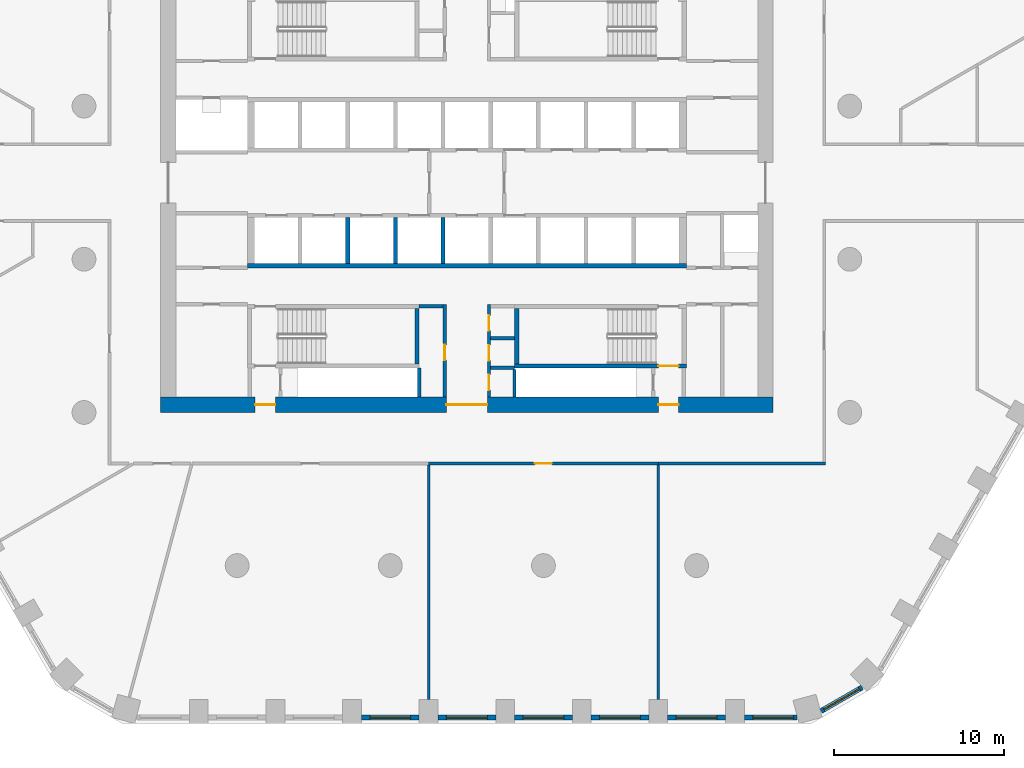
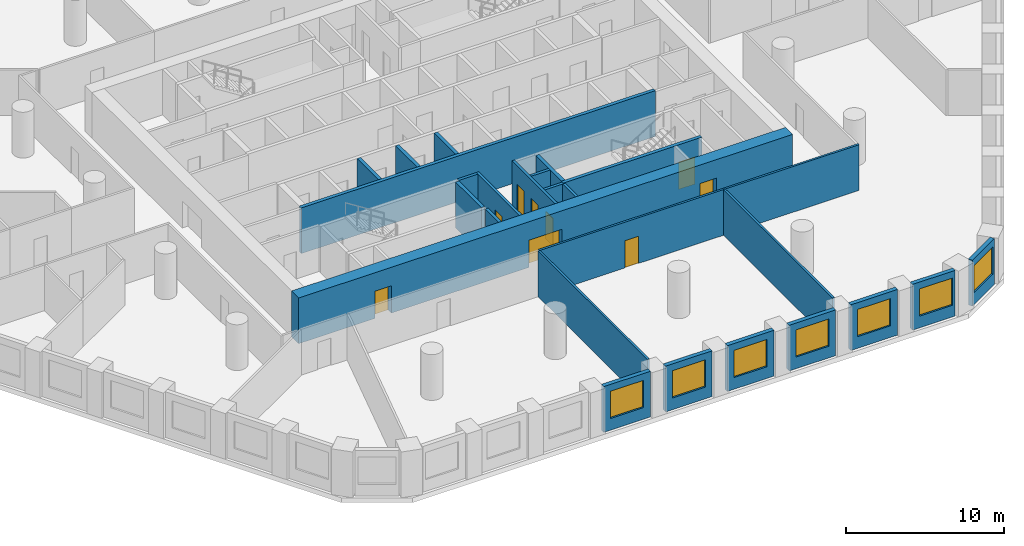
# One storey, part 3 of 10: 26 walls, 9 doors, 7 windows, 16 openings.
"""IFC4 building model written with IfcOpenShell, lengths in metres."""

from ifc_helpers import new_model, si_unit, direction, frame, frame_2d, origin, place, context, subcontext, project, spatial, polyline, rectangle, outline, extrude, material, layer, layer_set, type_object, element, fill, save


model = new_model("IFC4")

# Units and contexts
model_context = context("Model", 3, precision=1e-05, world=origin(), true_north=direction((0.0, 1.0)))
body_context = subcontext(model_context, "Body", "Model", "MODEL_VIEW")
ifc_project = project(units=[si_unit("LENGTHUNIT", "METRE"), si_unit("AREAUNIT", "SQUARE_METRE"), si_unit("VOLUMEUNIT", "CUBIC_METRE"), si_unit("PLANEANGLEUNIT", "RADIAN"), si_unit("MASSUNIT", "GRAM", prefix="KILO")], contexts=[model_context])

# Site, building, storey
site_placement = place(None, origin())
site = spatial("IfcSite", under=ifc_project, at=site_placement, CompositionType="ELEMENT")
building_placement = place(site_placement, origin())
building = spatial("IfcBuilding", under=site, at=building_placement, Name="Dhurran Vertical Campus", CompositionType="ELEMENT")
storey_placement = place(building_placement, frame((0.0, 0.0, 37.800048828125)))
storey = spatial("IfcBuildingStorey", under=building, at=storey_placement, Name="L08", CompositionType="ELEMENT", Elevation=37.800048828125)

# Wall, opening, window
ifc_material_1 = material(Name="Precast concrete C50/60", Category="concrete")
ifc_layer_1 = layer(ifc_material_1, 0.300048828125)
ifc_layer_set_1 = layer_set([ifc_layer_1], Name="Precast concrete C50/60")
wall_type_1 = type_object("IfcWallType", Name="Precast spandrel wall 300", PredefinedType="SOLIDWALL", material=ifc_layer_set_1)
wall_1_placement = place(storey_placement, frame((-6.199462890625, -31.4296875, 0.0), z_axis=(0.0, 0.0, 1.0), x_axis=(1.0, 0.0, 0.0)))
wall_1 = element("IfcWall", 1, at=wall_1_placement, inside=storey, type_object=wall_type_1, Name="EW1 L08.03", PredefinedType="SOLIDWALL", context=body_context, shape_type="SweptSolid", body=[
    extrude(rectangle(XDim=3.39892578125, YDim=0.300048828125, at=frame_2d((1.699462890625, 0.0))), origin(), (0.0, 0.0, 1.0), 3.52490234375),
])
opening_1_placement = place(wall_1_placement, frame((0.49951171875, 0.0, 0.89990234375)))
opening_1 = element("IfcOpeningElement", 2, at=opening_1_placement, cuts=wall_1, Name="Opening WT1", PredefinedType="OPENING", context=body_context, shape_type="SweptSolid", body=[
    extrude(rectangle(XDim=2.39990234375, YDim=2.10009765625, at=frame_2d((1.199951171875, 1.050048828125))), frame((0.0, 0.159912109375, 0.0), z_axis=(0.0, -1.0, 0.0), x_axis=(1.0, 0.0, 0.0)), (0.0, 0.0, 1.0), 0.320068359375),
])
ifc_material_2 = material(Name="Aluminium frame with solar-control glass", Category="aluminium")
window_type = type_object("IfcWindowType", Name="Punched window 2400 x 2100", PartitioningType="SINGLE_PANEL", PredefinedType="WINDOW", material=ifc_material_2)
window_1_placement = place(opening_1_placement, origin())
window_1 = element("IfcWindow", 3, at=window_1_placement, inside=storey, type_object=window_type, Name="WT1 L08.03", OverallHeight=2.10009765625, OverallWidth=2.39990234375, PartitioningType="SINGLE_PANEL", PredefinedType="WINDOW", context=body_context, shape_type="SweptSolid", body=[
    extrude(rectangle(XDim=2.39990234375, YDim=2.10009765625, at=frame_2d((1.199951171875, 1.050048828125))), frame((0.0, 0.030029296875, 0.0), z_axis=(0.0, -1.0, 0.0), x_axis=(1.0, 0.0, 0.0)), (0.0, 0.0, 1.0), 0.06005859375),
])
fill(opening_1, window_1)

wall_2_placement = place(storey_placement, frame((-1.699462890625, -31.4296875, 0.0), z_axis=(0.0, 0.0, 1.0), x_axis=(1.0, 0.0, 0.0)))
wall_2 = element("IfcWall", 4, at=wall_2_placement, inside=storey, type_object=wall_type_1, Name="EW1 L08.04", PredefinedType="SOLIDWALL", context=body_context, shape_type="SweptSolid", body=[
    extrude(rectangle(XDim=3.39892578125, YDim=0.300048828125, at=frame_2d((1.699462890625, 0.0))), origin(), (0.0, 0.0, 1.0), 3.52490234375),
])
opening_2_placement = place(wall_2_placement, frame((0.49951171875, 0.0, 0.89990234375)))
opening_2 = element("IfcOpeningElement", 5, at=opening_2_placement, cuts=wall_2, Name="Opening WT1", PredefinedType="OPENING", context=body_context, shape_type="SweptSolid", body=[
    extrude(rectangle(XDim=2.39990234375, YDim=2.10009765625, at=frame_2d((1.199951171875, 1.050048828125))), frame((0.0, 0.159912109375, 0.0), z_axis=(0.0, -1.0, 0.0), x_axis=(1.0, 0.0, 0.0)), (0.0, 0.0, 1.0), 0.320068359375),
])
window_2_placement = place(opening_2_placement, origin())
window_2 = element("IfcWindow", 6, at=window_2_placement, inside=storey, type_object=window_type, Name="WT1 L08.04", OverallHeight=2.10009765625, OverallWidth=2.39990234375, PartitioningType="SINGLE_PANEL", PredefinedType="WINDOW", context=body_context, shape_type="SweptSolid", body=[
    extrude(rectangle(XDim=2.39990234375, YDim=2.10009765625, at=frame_2d((1.199951171875, 1.050048828125))), frame((0.0, 0.030029296875, 0.0), z_axis=(0.0, -1.0, 0.0), x_axis=(1.0, 0.0, 0.0)), (0.0, 0.0, 1.0), 0.06005859375),
])
fill(opening_2, window_2)

wall_3_placement = place(storey_placement, frame((2.800537109375, -31.4296875, 0.0), z_axis=(0.0, 0.0, 1.0), x_axis=(1.0, 0.0, 0.0)))
wall_3 = element("IfcWall", 7, at=wall_3_placement, inside=storey, type_object=wall_type_1, Name="EW1 L08.05", PredefinedType="SOLIDWALL", context=body_context, shape_type="SweptSolid", body=[
    extrude(rectangle(XDim=3.39892578125, YDim=0.300048828125, at=frame_2d((1.699462890625, 0.0))), origin(), (0.0, 0.0, 1.0), 3.52490234375),
])
opening_3_placement = place(wall_3_placement, frame((0.49951171875, 0.0, 0.89990234375)))
opening_3 = element("IfcOpeningElement", 8, at=opening_3_placement, cuts=wall_3, Name="Opening WT1", PredefinedType="OPENING", context=body_context, shape_type="SweptSolid", body=[
    extrude(rectangle(XDim=2.39990234375, YDim=2.10009765625, at=frame_2d((1.199951171875, 1.050048828125))), frame((0.0, 0.159912109375, 0.0), z_axis=(0.0, -1.0, 0.0), x_axis=(1.0, 0.0, 0.0)), (0.0, 0.0, 1.0), 0.320068359375),
])
window_3_placement = place(opening_3_placement, origin())
window_3 = element("IfcWindow", 9, at=window_3_placement, inside=storey, type_object=window_type, Name="WT1 L08.05", OverallHeight=2.10009765625, OverallWidth=2.39990234375, PartitioningType="SINGLE_PANEL", PredefinedType="WINDOW", context=body_context, shape_type="SweptSolid", body=[
    extrude(rectangle(XDim=2.39990234375, YDim=2.10009765625, at=frame_2d((1.199951171875, 1.050048828125))), frame((0.0, 0.030029296875, 0.0), z_axis=(0.0, -1.0, 0.0), x_axis=(1.0, 0.0, 0.0)), (0.0, 0.0, 1.0), 0.06005859375),
])
fill(opening_3, window_3)

wall_4_placement = place(storey_placement, frame((7.300537109375, -31.4296875, 0.0), z_axis=(0.0, 0.0, 1.0), x_axis=(1.0, 0.0, 0.0)))
wall_4 = element("IfcWall", 10, at=wall_4_placement, inside=storey, type_object=wall_type_1, Name="EW1 L08.06", PredefinedType="SOLIDWALL", context=body_context, shape_type="SweptSolid", body=[
    extrude(rectangle(XDim=3.39892578125, YDim=0.300048828125, at=frame_2d((1.699462890625, 0.0))), origin(), (0.0, 0.0, 1.0), 3.52490234375),
])
opening_4_placement = place(wall_4_placement, frame((0.49951171875, 0.0, 0.89990234375)))
opening_4 = element("IfcOpeningElement", 11, at=opening_4_placement, cuts=wall_4, Name="Opening WT1", PredefinedType="OPENING", context=body_context, shape_type="SweptSolid", body=[
    extrude(rectangle(XDim=2.39990234375, YDim=2.10009765625, at=frame_2d((1.199951171875, 1.050048828125))), frame((0.0, 0.159912109375, 0.0), z_axis=(0.0, -1.0, 0.0), x_axis=(1.0, 0.0, 0.0)), (0.0, 0.0, 1.0), 0.320068359375),
])
window_4_placement = place(opening_4_placement, origin())
window_4 = element("IfcWindow", 12, at=window_4_placement, inside=storey, type_object=window_type, Name="WT1 L08.06", OverallHeight=2.10009765625, OverallWidth=2.39990234375, PartitioningType="SINGLE_PANEL", PredefinedType="WINDOW", context=body_context, shape_type="SweptSolid", body=[
    extrude(rectangle(XDim=2.39990234375, YDim=2.10009765625, at=frame_2d((1.199951171875, 1.050048828125))), frame((0.0, 0.030029296875, 0.0), z_axis=(0.0, -1.0, 0.0), x_axis=(1.0, 0.0, 0.0)), (0.0, 0.0, 1.0), 0.06005859375),
])
fill(opening_4, window_4)

wall_5_placement = place(storey_placement, frame((11.800537109375, -31.4296875, 0.0), z_axis=(0.0, 0.0, 1.0), x_axis=(1.0, 0.0, 0.0)))
wall_5 = element("IfcWall", 13, at=wall_5_placement, inside=storey, type_object=wall_type_1, Name="EW1 L08.07", PredefinedType="SOLIDWALL", context=body_context, shape_type="SweptSolid", body=[
    extrude(rectangle(XDim=3.39892578125, YDim=0.300048828125, at=frame_2d((1.699462890625, 0.0))), origin(), (0.0, 0.0, 1.0), 3.52490234375),
])
opening_5_placement = place(wall_5_placement, frame((0.49951171875, 0.0, 0.89990234375)))
opening_5 = element("IfcOpeningElement", 14, at=opening_5_placement, cuts=wall_5, Name="Opening WT1", PredefinedType="OPENING", context=body_context, shape_type="SweptSolid", body=[
    extrude(rectangle(XDim=2.39990234375, YDim=2.10009765625, at=frame_2d((1.199951171875, 1.050048828125))), frame((0.0, 0.159912109375, 0.0), z_axis=(0.0, -1.0, 0.0), x_axis=(1.0, 0.0, 0.0)), (0.0, 0.0, 1.0), 0.320068359375),
])
window_5_placement = place(opening_5_placement, origin())
window_5 = element("IfcWindow", 15, at=window_5_placement, inside=storey, type_object=window_type, Name="WT1 L08.07", OverallHeight=2.10009765625, OverallWidth=2.39990234375, PartitioningType="SINGLE_PANEL", PredefinedType="WINDOW", context=body_context, shape_type="SweptSolid", body=[
    extrude(rectangle(XDim=2.39990234375, YDim=2.10009765625, at=frame_2d((1.199951171875, 1.050048828125))), frame((0.0, 0.030029296875, 0.0), z_axis=(0.0, -1.0, 0.0), x_axis=(1.0, 0.0, 0.0)), (0.0, 0.0, 1.0), 0.06005859375),
])
fill(opening_5, window_5)

wall_6_placement = place(storey_placement, frame((16.300537109375, -31.4296875, 0.0), z_axis=(0.0, 0.0, 1.0), x_axis=(1.0, 0.0, 0.0)))
wall_6 = element("IfcWall", 16, at=wall_6_placement, inside=storey, type_object=wall_type_1, Name="EW1 L08.08", PredefinedType="SOLIDWALL", context=body_context, shape_type="SweptSolid", body=[
    extrude(rectangle(XDim=3.090576171875, YDim=0.300048828125, at=frame_2d((1.54541015625, 0.0))), origin(), (0.0, 0.0, 1.0), 3.52490234375),
])
opening_6_placement = place(wall_6_placement, frame((0.49951171875, 0.0, 0.89990234375)))
opening_6 = element("IfcOpeningElement", 17, at=opening_6_placement, cuts=wall_6, Name="Opening WT1", PredefinedType="OPENING", context=body_context, shape_type="SweptSolid", body=[
    extrude(rectangle(XDim=2.39990234375, YDim=2.10009765625, at=frame_2d((1.199951171875, 1.050048828125))), frame((0.0, 0.159912109375, 0.0), z_axis=(0.0, -1.0, 0.0), x_axis=(1.0, 0.0, 0.0)), (0.0, 0.0, 1.0), 0.320068359375),
])
window_6_placement = place(opening_6_placement, origin())
window_6 = element("IfcWindow", 18, at=window_6_placement, inside=storey, type_object=window_type, Name="WT1 L08.08", OverallHeight=2.10009765625, OverallWidth=2.39990234375, PartitioningType="SINGLE_PANEL", PredefinedType="WINDOW", context=body_context, shape_type="SweptSolid", body=[
    extrude(rectangle(XDim=2.39990234375, YDim=2.10009765625, at=frame_2d((1.199951171875, 1.050048828125))), frame((0.0, 0.030029296875, 0.0), z_axis=(0.0, -1.0, 0.0), x_axis=(1.0, 0.0, 0.0)), (0.0, 0.0, 1.0), 0.06005859375),
])
fill(opening_6, window_6)

wall_7_placement = place(storey_placement, frame((20.81884765625, -31.047119140625, 0.0), z_axis=(0.0, 0.0, 1.0), x_axis=(0.866020456713, 0.500008568482, 0.0)))
wall_7 = element("IfcWall", 19, at=wall_7_placement, inside=storey, type_object=wall_type_1, Name="EW1 L08.09", PredefinedType="SOLIDWALL", context=body_context, shape_type="SweptSolid", body=[
    extrude(rectangle(XDim=2.7822265625, YDim=0.300048828125, at=frame_2d((1.39111328125, 0.0))), origin(), (0.0, 0.0, 1.0), 3.52490234375),
])
opening_7_placement = place(wall_7_placement, frame((0.191162109375, 0.0, 0.89990234375)))
opening_7 = element("IfcOpeningElement", 20, at=opening_7_placement, cuts=wall_7, Name="Opening WT1", PredefinedType="OPENING", context=body_context, shape_type="SweptSolid", body=[
    extrude(rectangle(XDim=2.39990234375, YDim=2.10009765625, at=frame_2d((1.199951171875, 1.050048828125))), frame((0.0, 0.159912109375, 0.0), z_axis=(0.0, -1.0, 0.0), x_axis=(1.0, 0.0, 0.0)), (0.0, 0.0, 1.0), 0.320068359375),
])
window_7_placement = place(opening_7_placement, origin())
window_7 = element("IfcWindow", 21, at=window_7_placement, inside=storey, type_object=window_type, Name="WT1 L08.09", OverallHeight=2.10009765625, OverallWidth=2.39990234375, PartitioningType="SINGLE_PANEL", PredefinedType="WINDOW", context=body_context, shape_type="SweptSolid", body=[
    extrude(rectangle(XDim=2.39990234375, YDim=2.10009765625, at=frame_2d((1.199951171875, 1.050048828125))), frame((0.0, 0.030029296875, 0.0), z_axis=(0.0, -1.0, 0.0), x_axis=(1.0, 0.0, 0.0)), (0.0, 0.0, 1.0), 0.06005859375),
])
fill(opening_7, window_7)

# Wall, openings, doors
ifc_material_3 = material(Name="Concrete C60/75", Category="concrete")
ifc_layer_2 = layer(ifc_material_3, 0.89990234375)
ifc_layer_set_2 = layer_set([ifc_layer_2], Name="Concrete C60/75")
wall_type_2 = type_object("IfcWallType", Name="co-CORE-WALL-C0-900", PredefinedType="SHEAR", material=ifc_layer_set_2)
wall_8_placement = place(storey_placement, frame((-18.0, -13.050048828125, 0.0), z_axis=(0.0, 0.0, 1.0), x_axis=(1.0, 0.0, 0.0)))
wall_8 = element("IfcWall", 22, at=wall_8_placement, inside=storey, type_object=wall_type_2, Name="Core wall S L08", PredefinedType="SHEAR", context=body_context, shape_type="SweptSolid", body=[
    extrude(rectangle(XDim=36.0, YDim=0.89990234375, at=frame_2d((18.0, 0.0))), origin(), (0.0, 0.0, 1.0), 3.52490234375),
])
opening_8_placement = place(wall_8_placement, frame((16.800048828125, 0.0, 0.0)))
opening_8 = element("IfcOpeningElement", 23, at=opening_8_placement, cuts=wall_8, Name="Opening CV2", PredefinedType="OPENING", context=body_context, shape_type="SweptSolid", body=[
    extrude(rectangle(XDim=2.39990234375, YDim=2.10009765625, at=frame_2d((1.199951171875, 1.050048828125))), frame((0.0, 0.4599609375, 0.0), z_axis=(0.0, -1.0, 0.0), x_axis=(1.0, 0.0, 0.0)), (0.0, 0.0, 1.0), 0.919921875),
])
opening_9_placement = place(wall_8_placement, frame((5.550048828125, 0.0, 0.0)))
opening_9 = element("IfcOpeningElement", 24, at=opening_9_placement, cuts=wall_8, Name="Opening XD3", PredefinedType="OPENING", context=body_context, shape_type="SweptSolid", body=[
    extrude(rectangle(XDim=1.199951171875, YDim=2.10009765625, at=frame_2d((0.60009765625, 1.050048828125))), frame((0.0, 0.4599609375, 0.0), z_axis=(0.0, -1.0, 0.0), x_axis=(1.0, 0.0, 0.0)), (0.0, 0.0, 1.0), 0.919921875),
])
opening_10_placement = place(wall_8_placement, frame((29.25, 0.0, 0.0)))
opening_10 = element("IfcOpeningElement", 25, at=opening_10_placement, cuts=wall_8, Name="Opening XD4", PredefinedType="OPENING", context=body_context, shape_type="SweptSolid", body=[
    extrude(rectangle(XDim=1.199951171875, YDim=2.10009765625, at=frame_2d((0.60009765625, 1.050048828125))), frame((0.0, 0.4599609375, 0.0), z_axis=(0.0, -1.0, 0.0), x_axis=(1.0, 0.0, 0.0)), (0.0, 0.0, 1.0), 0.919921875),
])
ifc_material_4 = material(Name="Fire-rated glazed door set")
door_type_1 = type_object("IfcDoorType", Name="co-D-LOBBY 2400x2100", OperationType="DOUBLE_DOOR_DOUBLE_SWING", PredefinedType="DOOR", material=ifc_material_4)
door_1_placement = place(opening_8_placement, origin())
door_1 = element("IfcDoor", 26, at=door_1_placement, inside=storey, type_object=door_type_1, Name="Core vestibule door S L08", OperationType="DOUBLE_DOOR_DOUBLE_SWING", OverallHeight=2.10009765625, OverallWidth=2.39990234375, PredefinedType="DOOR", context=body_context, shape_type="SweptSolid", body=[
    extrude(rectangle(XDim=2.39990234375, YDim=2.10009765625, at=frame_2d((1.199951171875, 1.050048828125))), frame((0.0, 0.02490234375, 0.0), z_axis=(0.0, -1.0, 0.0), x_axis=(1.0, 0.0, 0.0)), (0.0, 0.0, 1.0), 0.050048828125),
])
fill(opening_8, door_1)
ifc_material_5 = material(Name="Fire-rated steel door set", Category="steel")
door_type_2 = type_object("IfcDoorType", Name="co-D-STAIR-EXIT 1200x2100", OperationType="SINGLE_SWING_RIGHT", PredefinedType="DOOR", material=ifc_material_5)
door_2_placement = place(opening_9_placement, origin())
door_2 = element("IfcDoor", 27, at=door_2_placement, inside=storey, type_object=door_type_2, Name="Stair ST3 exit door L08", OperationType="SINGLE_SWING_RIGHT", OverallHeight=2.10009765625, OverallWidth=1.199951171875, PredefinedType="DOOR", context=body_context, shape_type="SweptSolid", body=[
    extrude(rectangle(XDim=1.199951171875, YDim=2.10009765625, at=frame_2d((0.60009765625, 1.050048828125))), frame((0.0, 0.02490234375, 0.0), z_axis=(0.0, -1.0, 0.0), x_axis=(1.0, 0.0, 0.0)), (0.0, 0.0, 1.0), 0.050048828125),
])
fill(opening_9, door_2)
door_3_placement = place(opening_10_placement, origin())
door_3 = element("IfcDoor", 28, at=door_3_placement, inside=storey, type_object=door_type_2, Name="Stair ST4 exit door L08", OperationType="SINGLE_SWING_RIGHT", OverallHeight=2.10009765625, OverallWidth=1.199951171875, PredefinedType="DOOR", context=body_context, shape_type="SweptSolid", body=[
    extrude(rectangle(XDim=1.199951171875, YDim=2.10009765625, at=frame_2d((0.60009765625, 1.050048828125))), frame((0.0, 0.02490234375, 0.0), z_axis=(0.0, -1.0, 0.0), x_axis=(1.0, 0.0, 0.0)), (0.0, 0.0, 1.0), 0.050048828125),
])
fill(opening_10, door_3)

# Walls
ifc_material_6 = material(Name="Fire-rated masonry blockwork", Category="masonry")
ifc_layer_3 = layer(ifc_material_6, 0.199951171875)
ifc_layer_set_3 = layer_set([ifc_layer_3], Name="Fire-rated masonry blockwork")
wall_type_3 = type_object("IfcWallType", Name="co-FIRE-PARTITION-200", PredefinedType="PARTITIONING", material=ifc_layer_set_3)
for number, where, z_axis, x_axis, name in (
    (29, (-2.800048828125, -7.25, 0.0), (0.0, 0.0, 1.0), (1.0, 0.0, 0.0), "Core partition sl-SW-S L08"),
    (30, (1.39990234375, -9.135009765625, 0.0), (0.0, 0.0, 1.0), (1.0, 0.0, 0.0), "Core partition sl-SE-cut0 L08"),
    (31, (1.39990234375, -10.867431640625, 0.0), (0.0, 0.0, 1.0), (1.0, 0.0, 0.0), "Core partition sl-SE-cut1 L08"),
):
    element("IfcWall", number, at=place(storey_placement, frame(where, z_axis=z_axis, x_axis=x_axis)), inside=storey, type_object=wall_type_3, Name=name, PredefinedType="PARTITIONING", context=body_context, shape_type="SweptSolid", body=[
        extrude(rectangle(XDim=1.400146484375, YDim=0.199951171875, at=frame_2d((0.7001953125, 0.0))), origin(), (0.0, 0.0, 1.0), 3.52490234375),
    ])

# Wall, opening, door
wall_9_placement = place(storey_placement, frame((-1.300048828125, -12.60009765625, 0.0), z_axis=(0.0, 0.0, 1.0), x_axis=(0.0, 1.0, 0.0)))
wall_9 = element("IfcWall", 32, at=wall_9_placement, inside=storey, type_object=wall_type_3, Name="Core partition vest-SW L08", PredefinedType="PARTITIONING", context=body_context, shape_type="SweptSolid", body=[
    extrude(rectangle(XDim=5.4501953125, YDim=0.199951171875, at=frame_2d((2.72509765625, 0.0))), origin(), (0.0, 0.0, 1.0), 3.52490234375),
])
opening_11_placement = place(wall_9_placement, frame((2.175048828125, 0.0, 0.0)))
opening_11 = element("IfcOpeningElement", 33, at=opening_11_placement, cuts=wall_9, Name="Opening T01-C1", PredefinedType="OPENING", context=body_context, shape_type="SweptSolid", body=[
    extrude(rectangle(XDim=0.89990234375, YDim=2.10009765625, at=frame_2d((0.449951171875, 1.050048828125))), frame((0.0, 0.10986328125, 0.0), z_axis=(0.0, -1.0, 0.0), x_axis=(1.0, 0.0, 0.0)), (0.0, 0.0, 1.0), 0.219970703125),
])
ifc_material_7 = material(Name="Fire-rated timber door set", Category="wood")
door_type_3 = type_object("IfcDoorType", Name="co-D-ROOM 900x2100", OperationType="SINGLE_SWING_LEFT", PredefinedType="DOOR", material=ifc_material_7)
door_4_placement = place(opening_11_placement, origin())
door_4 = element("IfcDoor", 34, at=door_4_placement, inside=storey, type_object=door_type_3, Name="Fire equipment store door L08", OperationType="SINGLE_SWING_LEFT", OverallHeight=2.10009765625, OverallWidth=0.89990234375, PredefinedType="DOOR", context=body_context, shape_type="SweptSolid", body=[
    extrude(rectangle(XDim=0.89990234375, YDim=2.10009765625, at=frame_2d((0.449951171875, 1.050048828125))), frame((0.0, 0.02490234375, 0.0), z_axis=(0.0, -1.0, 0.0), x_axis=(1.0, 0.0, 0.0)), (0.0, 0.0, 1.0), 0.050048828125),
])
fill(opening_11, door_4)

# Wall, openings, doors
wall_10_placement = place(storey_placement, frame((1.300048828125, -12.60009765625, 0.0), z_axis=(0.0, 0.0, 1.0), x_axis=(0.0, 1.0, 0.0)))
wall_10 = element("IfcWall", 35, at=wall_10_placement, inside=storey, type_object=wall_type_3, Name="Core partition vest-SE L08", PredefinedType="PARTITIONING", context=body_context, shape_type="SweptSolid", body=[
    extrude(rectangle(XDim=5.4501953125, YDim=0.199951171875, at=frame_2d((2.72509765625, 0.0))), origin(), (0.0, 0.0, 1.0), 3.52490234375),
])
opening_12_placement = place(wall_10_placement, frame((0.416259765625, 0.0, 0.0)))
opening_12 = element("IfcOpeningElement", 36, at=opening_12_placement, cuts=wall_10, Name="Opening T01-C2", PredefinedType="OPENING", context=body_context, shape_type="SweptSolid", body=[
    extrude(rectangle(XDim=0.89990234375, YDim=2.10009765625, at=frame_2d((0.449951171875, 1.050048828125))), frame((0.0, 0.10986328125, 0.0), z_axis=(0.0, -1.0, 0.0), x_axis=(1.0, 0.0, 0.0)), (0.0, 0.0, 1.0), 0.219970703125),
])
opening_13_placement = place(wall_10_placement, frame((2.148681640625, 0.0, 0.0)))
opening_13 = element("IfcOpeningElement", 37, at=opening_13_placement, cuts=wall_10, Name="Opening T01-C3", PredefinedType="OPENING", context=body_context, shape_type="SweptSolid", body=[
    extrude(rectangle(XDim=0.89990234375, YDim=2.10009765625, at=frame_2d((0.449951171875, 1.050048828125))), frame((0.0, 0.10986328125, 0.0), z_axis=(0.0, -1.0, 0.0), x_axis=(1.0, 0.0, 0.0)), (0.0, 0.0, 1.0), 0.219970703125),
])
opening_14_placement = place(wall_10_placement, frame((3.907470703125, 0.0, 0.0)))
opening_14 = element("IfcOpeningElement", 38, at=opening_14_placement, cuts=wall_10, Name="Opening T01-C4", PredefinedType="OPENING", context=body_context, shape_type="SweptSolid", body=[
    extrude(rectangle(XDim=0.89990234375, YDim=2.10009765625, at=frame_2d((0.449951171875, 1.050048828125))), frame((0.0, 0.10986328125, 0.0), z_axis=(0.0, -1.0, 0.0), x_axis=(1.0, 0.0, 0.0)), (0.0, 0.0, 1.0), 0.219970703125),
])
door_5_placement = place(opening_12_placement, origin())
door_5 = element("IfcDoor", 39, at=door_5_placement, inside=storey, type_object=door_type_3, Name="Communications room door L08", OperationType="SINGLE_SWING_LEFT", OverallHeight=2.10009765625, OverallWidth=0.89990234375, PredefinedType="DOOR", context=body_context, shape_type="SweptSolid", body=[
    extrude(rectangle(XDim=0.89990234375, YDim=2.10009765625, at=frame_2d((0.449951171875, 1.050048828125))), frame((0.0, 0.02490234375, 0.0), z_axis=(0.0, -1.0, 0.0), x_axis=(1.0, 0.0, 0.0)), (0.0, 0.0, 1.0), 0.050048828125),
])
fill(opening_12, door_5)
door_6_placement = place(opening_13_placement, origin())
door_6 = element("IfcDoor", 40, at=door_6_placement, inside=storey, type_object=door_type_3, Name="Housekeeping store door L08", OperationType="SINGLE_SWING_LEFT", OverallHeight=2.10009765625, OverallWidth=0.89990234375, PredefinedType="DOOR", context=body_context, shape_type="SweptSolid", body=[
    extrude(rectangle(XDim=0.89990234375, YDim=2.10009765625, at=frame_2d((0.449951171875, 1.050048828125))), frame((0.0, 0.02490234375, 0.0), z_axis=(0.0, -1.0, 0.0), x_axis=(1.0, 0.0, 0.0)), (0.0, 0.0, 1.0), 0.050048828125),
])
fill(opening_13, door_6)
door_7_placement = place(opening_14_placement, origin())
door_7 = element("IfcDoor", 41, at=door_7_placement, inside=storey, type_object=door_type_3, Name="Waste room door L08", OperationType="SINGLE_SWING_LEFT", OverallHeight=2.10009765625, OverallWidth=0.89990234375, PredefinedType="DOOR", context=body_context, shape_type="SweptSolid", body=[
    extrude(rectangle(XDim=0.89990234375, YDim=2.10009765625, at=frame_2d((0.449951171875, 1.050048828125))), frame((0.0, 0.02490234375, 0.0), z_axis=(0.0, -1.0, 0.0), x_axis=(1.0, 0.0, 0.0)), (0.0, 0.0, 1.0), 0.050048828125),
])
fill(opening_14, door_7)

# Walls
wall_11_placement = place(storey_placement, frame((-2.800048828125, -12.59912109375, 0.0), z_axis=(0.0, 0.0, 1.0), x_axis=(0.0, 1.0, 0.0)))
element("IfcWall", 42, at=wall_11_placement, inside=storey, type_object=wall_type_3, Name="Riser enclosure wall L08", PredefinedType="PARTITIONING", context=body_context, shape_type="SweptSolid", body=[
    extrude(rectangle(XDim=1.6982421875, YDim=0.199951171875, at=frame_2d((0.84912109375, 0.0))), origin(), (0.0, 0.0, 1.0), 3.52490234375),
])
wall_12_placement = place(storey_placement, frame((2.800048828125, -10.968505859375, 0.0), z_axis=(0.0, 0.0, 1.0), x_axis=(0.0, -1.0, 0.0)))
element("IfcWall", 43, at=wall_12_placement, inside=storey, type_object=wall_type_3, Name="Riser enclosure wall L08", PredefinedType="PARTITIONING", context=body_context, shape_type="SweptSolid", body=[
    extrude(rectangle(XDim=1.630615234375, YDim=0.199951171875, at=frame_2d((0.8154296875, 0.0))), origin(), (0.0, 0.0, 1.0), 3.52490234375),
])
ifc_material_8 = material(Name="Concrete C50/60", Category="concrete")
ifc_layer_4 = layer(ifc_material_8, 0.25)
ifc_layer_set_4 = layer_set([ifc_layer_4], Name="Concrete C50/60")
wall_type_4 = type_object("IfcWallType", Name="co-SHAFT-MASS-250", PredefinedType="SHEAR", material=ifc_layer_set_4)
wall_13_placement = place(storey_placement, origin())
element("IfcWall", 44, at=wall_13_placement, inside=storey, type_object=wall_type_4, Name="Lift shaft wall S L08 1", PredefinedType="SHEAR", context=body_context, shape_type="SweptSolid", body=[
    extrude(outline(polyline([(-12.89990234375, -5.0), (12.89990234375, -5.0), (12.89990234375, -4.75), (-12.89990234375, -4.75), (-12.89990234375, -5.0)])), origin(), (0.0, 0.0, 1.0), 3.52490234375),
])
wall_14_placement = place(storey_placement, origin())
element("IfcWall", 45, at=wall_14_placement, inside=storey, type_object=wall_type_4, Name="Lift shaft wall S L08 4", PredefinedType="SHEAR", context=body_context, shape_type="SweptSolid", body=[
    extrude(outline(polyline([(-7.125, -4.75), (-6.875, -4.75), (-6.875, -2.050048828125), (-7.125, -2.050048828125), (-7.125, -4.75)])), origin(), (0.0, 0.0, 1.0), 3.52490234375),
])
wall_15_placement = place(storey_placement, origin())
element("IfcWall", 46, at=wall_15_placement, inside=storey, type_object=wall_type_4, Name="Lift shaft wall S L08 5", PredefinedType="SHEAR", context=body_context, shape_type="SweptSolid", body=[
    extrude(outline(polyline([(-4.324951171875, -4.75), (-4.074951171875, -4.75), (-4.074951171875, -2.050048828125), (-4.324951171875, -2.050048828125), (-4.324951171875, -4.75)])), origin(), (0.0, 0.0, 1.0), 3.52490234375),
])
wall_16_placement = place(storey_placement, origin())
element("IfcWall", 47, at=wall_16_placement, inside=storey, type_object=wall_type_4, Name="Lift shaft wall S L08 6", PredefinedType="SHEAR", context=body_context, shape_type="SweptSolid", body=[
    extrude(outline(polyline([(-1.52490234375, -4.75), (-1.27490234375, -4.75), (-1.27490234375, -2.050048828125), (-1.52490234375, -2.050048828125), (-1.52490234375, -4.75)])), origin(), (0.0, 0.0, 1.0), 3.52490234375),
])
ifc_material_9 = material(Name="Concrete C40/50", Category="concrete")
ifc_layer_5 = layer(ifc_material_9, 0.25)
ifc_layer_set_5 = layer_set([ifc_layer_5], Name="Concrete C40/50")
wall_type_5 = type_object("IfcWallType", Name="co-STAIR-WALL-250", PredefinedType="SHEAR", material=ifc_layer_set_5)
wall_17_placement = place(storey_placement, frame((-2.925048828125, -10.64990234375, 0.0), z_axis=(0.0, 0.0, 1.0), x_axis=(0.0, 1.0, 0.0)))
element("IfcWall", 48, at=wall_17_placement, inside=storey, type_object=wall_type_5, Name="Stair ST3 enclosure wall L08", PredefinedType="SHEAR", context=body_context, shape_type="SweptSolid", body=[
    extrude(rectangle(XDim=3.25, YDim=0.25, at=frame_2d((1.625, 0.0))), origin(), (0.0, 0.0, 1.0), 3.52490234375),
])

# Wall, opening, door
wall_18_placement = place(storey_placement, frame((2.800048828125, -10.77490234375, 0.0), z_axis=(0.0, 0.0, 1.0), x_axis=(1.0, 0.0, 0.0)))
wall_18 = element("IfcWall", 49, at=wall_18_placement, inside=storey, type_object=wall_type_5, Name="Stair ST4 enclosure wall L08", PredefinedType="SHEAR", context=body_context, shape_type="SweptSolid", body=[
    extrude(rectangle(XDim=10.099853515625, YDim=0.25, at=frame_2d((5.0498046875, 0.0))), origin(), (0.0, 0.0, 1.0), 3.52490234375),
])
opening_15_placement = place(wall_18_placement, frame((8.449951171875, 0.0, 0.0)))
opening_15 = element("IfcOpeningElement", 50, at=opening_15_placement, cuts=wall_18, Name="Opening XS4", PredefinedType="OPENING", context=body_context, shape_type="SweptSolid", body=[
    extrude(rectangle(XDim=1.199951171875, YDim=2.10009765625, at=frame_2d((0.60009765625, 1.050048828125))), frame((0.0, 0.135009765625, 0.0), z_axis=(0.0, -1.0, 0.0), x_axis=(1.0, 0.0, 0.0)), (0.0, 0.0, 1.0), 0.27001953125),
])
door_8_placement = place(opening_15_placement, origin())
door_8 = element("IfcDoor", 51, at=door_8_placement, inside=storey, type_object=door_type_2, Name="Stair ST4 discharge door L08", OperationType="SINGLE_SWING_RIGHT", OverallHeight=2.10009765625, OverallWidth=1.199951171875, PredefinedType="DOOR", context=body_context, shape_type="SweptSolid", body=[
    extrude(rectangle(XDim=1.199951171875, YDim=2.10009765625, at=frame_2d((0.60009765625, 1.050048828125))), frame((0.0, 0.02490234375, 0.0), z_axis=(0.0, -1.0, 0.0), x_axis=(1.0, 0.0, 0.0)), (0.0, 0.0, 1.0), 0.050048828125),
])
fill(opening_15, door_8)

# Wall
wall_19_placement = place(storey_placement, frame((2.925048828125, -10.64990234375, 0.0), z_axis=(0.0, 0.0, 1.0), x_axis=(0.0, 1.0, 0.0)))
element("IfcWall", 52, at=wall_19_placement, inside=storey, type_object=wall_type_5, Name="Stair ST4 enclosure wall L08", PredefinedType="SHEAR", context=body_context, shape_type="SweptSolid", body=[
    extrude(rectangle(XDim=3.25, YDim=0.25, at=frame_2d((1.625, 0.0))), origin(), (0.0, 0.0, 1.0), 3.52490234375),
])

# Wall, opening, door
ifc_material_10 = material(Name="Gypsum board corridor wall on steel studs", Category="steel")
ifc_layer_6 = layer(ifc_material_10, 0.14990234375)
ifc_layer_set_6 = layer_set([ifc_layer_6], Name="Gypsum board corridor wall on steel studs")
wall_type_6 = type_object("IfcWallType", Name="fl-CW-150 corridor wall", PredefinedType="PARTITIONING", material=ifc_layer_set_6)
wall_20_placement = place(storey_placement, frame((-2.25, -16.5, 0.0), z_axis=(0.0, 0.0, 1.0), x_axis=(1.0, 0.0, 0.0)))
wall_20 = element("IfcWall", 53, at=wall_20_placement, inside=storey, type_object=wall_type_6, Name="Partition 08-28", PredefinedType="PARTITIONING", context=body_context, shape_type="SweptSolid", body=[
    extrude(rectangle(XDim=13.5, YDim=0.14990234375, at=frame_2d((6.75, 0.0))), origin(), (0.0, 0.0, 1.0), 3.52490234375),
])
opening_16_placement = place(wall_20_placement, frame((6.25, 0.0, 0.0)))
opening_16 = element("IfcOpeningElement", 54, at=opening_16_placement, cuts=wall_20, Name="Opening T01.11", PredefinedType="OPENING", context=body_context, shape_type="SweptSolid", body=[
    extrude(rectangle(XDim=1.0, YDim=2.10009765625, at=frame_2d((0.5, 1.050048828125))), frame((0.0, 0.0849609375, 0.0), z_axis=(0.0, -1.0, 0.0), x_axis=(1.0, 0.0, 0.0)), (0.0, 0.0, 1.0), 0.169921875),
])
ifc_material_11 = material(Name="Solid-core timber door set, fire-rated", Category="wood")
door_type_4 = type_object("IfcDoorType", Name="fl-D-1000x2100", OperationType="SINGLE_SWING_LEFT", PredefinedType="DOOR", material=ifc_material_11)
door_9_placement = place(opening_16_placement, origin())
door_9 = element("IfcDoor", 55, at=door_9_placement, inside=storey, type_object=door_type_4, Name="Door 08.11", OperationType="SINGLE_SWING_RIGHT", OverallHeight=2.10009765625, OverallWidth=1.0, PredefinedType="DOOR", context=body_context, shape_type="SweptSolid", body=[
    extrude(rectangle(XDim=1.0, YDim=2.10009765625, at=frame_2d((0.5, 1.050048828125))), frame((0.0, 0.02490234375, 0.0), z_axis=(0.0, -1.0, 0.0), x_axis=(1.0, 0.0, 0.0)), (0.0, 0.0, 1.0), 0.050048828125),
])
fill(opening_16, door_9)

# Walls
wall_21_placement = place(storey_placement, frame((11.25, -16.5, 0.0), z_axis=(0.0, 0.0, 1.0), x_axis=(1.0, 0.0, 0.0)))
element("IfcWall", 56, at=wall_21_placement, inside=storey, type_object=wall_type_6, Name="Partition 08-34", PredefinedType="PARTITIONING", context=body_context, shape_type="SweptSolid", body=[
    extrude(rectangle(XDim=9.824951171875, YDim=0.14990234375, at=frame_2d((4.91259765625, 0.0))), origin(), (0.0, 0.0, 1.0), 3.52490234375),
])
ifc_material_12 = material(Name="Gypsum board partition on steel studs", Category="steel")
ifc_layer_7 = layer(ifc_material_12, 0.14990234375)
ifc_layer_set_7 = layer_set([ifc_layer_7], Name="Gypsum board partition on steel studs")
wall_type_7 = type_object("IfcWallType", Name="fl-PW-150 fixed partition", PredefinedType="PARTITIONING", material=ifc_layer_set_7)
for number, where, z_axis, x_axis, name in (
    (57, (-2.25, -16.574951171875, 0.0), (0.0, 0.0, 1.0), (0.0, -1.0, 0.0), "Partition 08-27"),
    (58, (11.25, -16.574951171875, 0.0), (0.0, 0.0, 1.0), (0.0, -1.0, 0.0), "Partition 08-33"),
):
    element("IfcWall", number, at=place(storey_placement, frame(where, z_axis=z_axis, x_axis=x_axis)), inside=storey, type_object=wall_type_7, Name=name, PredefinedType="PARTITIONING", context=body_context, shape_type="SweptSolid", body=[
        extrude(rectangle(XDim=13.784912109375, YDim=0.14990234375, at=frame_2d((6.892578125, 0.0))), origin(), (0.0, 0.0, 1.0), 3.52490234375),
    ])

save(model, "model.ifc")
